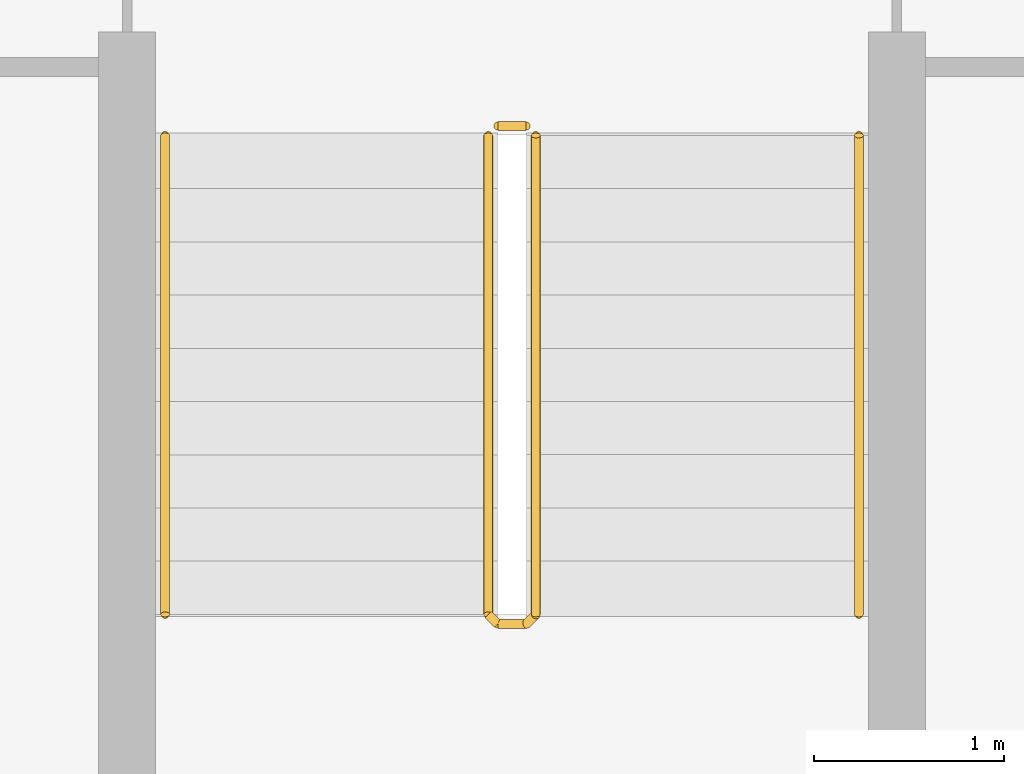
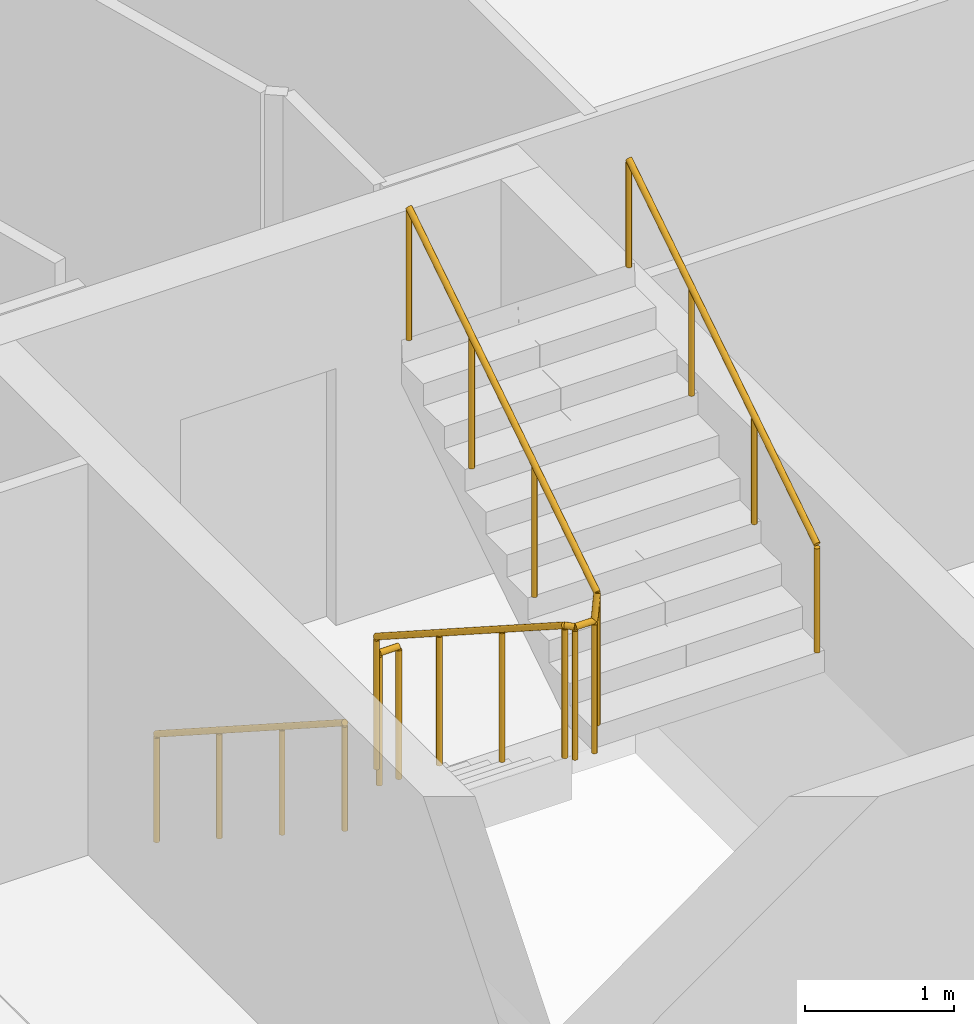
# One storey, part 25 of 27: 4 railings.
"""IFC4 building model written with IfcOpenShell, lengths in metres."""

from ifc_helpers import new_model, si_unit, direction, frame, origin, origin_2d, place, context, subcontext, project, spatial, circle, extrude, material, type_object, element, save


model = new_model("IFC4")

# Units and contexts
model_context = context("Model", 3, precision=1e-05, world=origin(), true_north=direction((0.0, 1.0)))
body_context = subcontext(model_context, "Body", "Model", "MODEL_VIEW")
ifc_project = project(units=[si_unit("LENGTHUNIT", "METRE"), si_unit("AREAUNIT", "SQUARE_METRE"), si_unit("VOLUMEUNIT", "CUBIC_METRE"), si_unit("PLANEANGLEUNIT", "RADIAN"), si_unit("MASSUNIT", "GRAM", prefix="KILO")], contexts=[model_context])

# Site, building, storey
site_placement = place(None, origin())
site = spatial("IfcSite", under=ifc_project, at=site_placement, CompositionType="ELEMENT")
building_placement = place(site_placement, origin())
building = spatial("IfcBuilding", under=site, at=building_placement, Name="Wharfspan Tower", CompositionType="ELEMENT")
storey_placement = place(building_placement, frame((0.0, 0.0, 55.899902)))
storey = spatial("IfcBuildingStorey", under=building, at=storey_placement, Name="L10", CompositionType="ELEMENT", Elevation=55.899902)

# Railings
ifc_material = material(Name="Steel S355J2", Category="steel")
railing_type_1 = type_object("IfcRailingType", Name="Stair guard 1100", PredefinedType="GUARDRAIL", material=ifc_material)
railing_1_placement = place(storey_placement, frame((39.258301, 3.760498, 0.180176)))
element("IfcRailing", 1, at=railing_1_placement, inside=storey, type_object=railing_type_1, Name="L10 ST4 stair guard 1", PredefinedType="GUARDRAIL", context=body_context, shape_type="SweptSolid", body=[
    extrude(circle(Radius=0.023926, at=origin_2d()), frame((0.0, 0.0, 1.076172), z_axis=(0.0, -0.841176, 0.540762), x_axis=(1.0, 0.0, 0.0)), (0.0, 0.0, 1.0), 2.995605),
    extrude(circle(Radius=0.023926, at=origin_2d()), frame((0.0, -2.519775, 2.695801), z_axis=(0.707107, -0.707107, 0.0), x_axis=(0.707107, 0.707107, 0.0)), (0.0, 0.0, 1.0), 0.070801),
    extrude(circle(Radius=0.023926, at=origin_2d()), frame((0.050049, -2.569824, 2.695801), z_axis=(1.0, 0.0, 0.0), x_axis=(0.0, 1.0, 0.0)), (0.0, 0.0, 1.0), 0.149902),
    extrude(circle(Radius=0.023926, at=origin_2d()), frame((0.199951, -2.569824, 2.695801), z_axis=(0.258848, 0.258848, 0.930589), x_axis=(-0.707107, 0.707107, 0.0)), (0.0, 0.0, 1.0), 0.193359),
    extrude(circle(Radius=0.023926, at=origin_2d()), frame((0.25, -2.519775, 2.875977), z_axis=(0.0, 0.841139, 0.540819), x_axis=(-1.0, 0.0, 0.0)), (0.0, 0.0, 1.0), 2.995605),
    extrude(circle(Radius=0.020996, at=origin_2d()), origin(), (0.0, 0.0, 1.0), 1.052002),
    extrude(circle(Radius=0.020996, at=origin_2d()), frame((0.0, -0.839844, 0.540039)), (0.0, 0.0, 1.0), 1.052002),
    extrude(circle(Radius=0.020996, at=origin_2d()), frame((0.0, -1.679932, 1.079834)), (0.0, 0.0, 1.0), 1.052002),
    extrude(circle(Radius=0.020996, at=origin_2d()), frame((0.0, -2.519775, 1.619873)), (0.0, 0.0, 1.0), 1.052002),
    extrude(circle(Radius=0.020996, at=origin_2d()), frame((0.050049, -2.569824, 1.619873)), (0.0, 0.0, 1.0), 1.052002),
    extrude(circle(Radius=0.020996, at=origin_2d()), frame((0.199951, -2.569824, 1.619873)), (0.0, 0.0, 1.0), 1.052002),
    extrude(circle(Radius=0.020996, at=origin_2d()), frame((0.25, -2.519775, 1.799805)), (0.0, 0.0, 1.0), 1.052002),
    extrude(circle(Radius=0.020996, at=origin_2d()), frame((0.25, -1.679932, 2.339844)), (0.0, 0.0, 1.0), 1.052002),
    extrude(circle(Radius=0.020996, at=origin_2d()), frame((0.25, -0.839844, 2.879883)), (0.0, 0.0, 1.0), 1.052002),
    extrude(circle(Radius=0.020996, at=origin_2d()), frame((0.25, 0.0, 3.419922)), (0.0, 0.0, 1.0), 1.052002),
])
railing_2_placement = place(storey_placement, frame((39.30835, 3.810547, 0.0)))
element("IfcRailing", 2, at=railing_2_placement, inside=storey, type_object=railing_type_1, Name="L10 ST4 stair guard 2", PredefinedType="GUARDRAIL", context=body_context, shape_type="SweptSolid", body=[
    extrude(circle(Radius=0.023926, at=origin_2d()), frame((0.0, 0.0, 1.076172), z_axis=(1.0, 0.0, 0.0), x_axis=(0.0, 1.0, 0.0)), (0.0, 0.0, 1.0), 0.149902),
    extrude(circle(Radius=0.020996, at=origin_2d()), origin(), (0.0, 0.0, 1.0), 1.052002),
    extrude(circle(Radius=0.020996, at=origin_2d()), frame((0.149902, 0.0, 0.0)), (0.0, 0.0, 1.0), 1.052002),
])
railing_type_2 = type_object("IfcRailingType", Name="Stair handrail 900", PredefinedType="HANDRAIL", material=ifc_material)
railing_3_placement = place(storey_placement, frame((37.55835, 3.760498, 0.180176)))
element("IfcRailing", 3, at=railing_3_placement, inside=storey, type_object=railing_type_2, Name="L10 ST4 stair handrail 1", PredefinedType="HANDRAIL", context=body_context, shape_type="SweptSolid", body=[
    extrude(circle(Radius=0.023926, at=origin_2d()), frame((0.0, 0.0, 0.875977), z_axis=(0.0, -0.841176, 0.540762), x_axis=(1.0, 0.0, 0.0)), (0.0, 0.0, 1.0), 2.995605),
    extrude(circle(Radius=0.020996, at=origin_2d()), origin(), (0.0, 0.0, 1.0), 0.851807),
    extrude(circle(Radius=0.020996, at=origin_2d()), frame((0.0, -0.839844, 0.540039)), (0.0, 0.0, 1.0), 0.851807),
    extrude(circle(Radius=0.020996, at=origin_2d()), frame((0.0, -1.679932, 1.079834)), (0.0, 0.0, 1.0), 0.851807),
    extrude(circle(Radius=0.020996, at=origin_2d()), frame((0.0, -2.519775, 1.619873)), (0.0, 0.0, 1.0), 0.851807),
])
railing_4_placement = place(storey_placement, frame((41.208252, 1.240723, 1.97998)))
element("IfcRailing", 4, at=railing_4_placement, inside=storey, type_object=railing_type_2, Name="L10 ST4 stair handrail 2", PredefinedType="HANDRAIL", context=body_context, shape_type="SweptSolid", body=[
    extrude(circle(Radius=0.023926, at=origin_2d()), frame((0.0, 0.0, 0.875977), z_axis=(0.0, 0.841139, 0.540819), x_axis=(-1.0, 0.0, 0.0)), (0.0, 0.0, 1.0), 2.995605),
    extrude(circle(Radius=0.020996, at=origin_2d()), origin(), (0.0, 0.0, 1.0), 0.851807),
    extrude(circle(Radius=0.020996, at=origin_2d()), frame((0.0, 0.839844, 0.540039)), (0.0, 0.0, 1.0), 0.851807),
    extrude(circle(Radius=0.020996, at=origin_2d()), frame((0.0, 1.679932, 1.080078)), (0.0, 0.0, 1.0), 0.851807),
    extrude(circle(Radius=0.020996, at=origin_2d()), frame((0.0, 2.519775, 1.620117)), (0.0, 0.0, 1.0), 0.851807),
])

save(model, "model.ifc")
